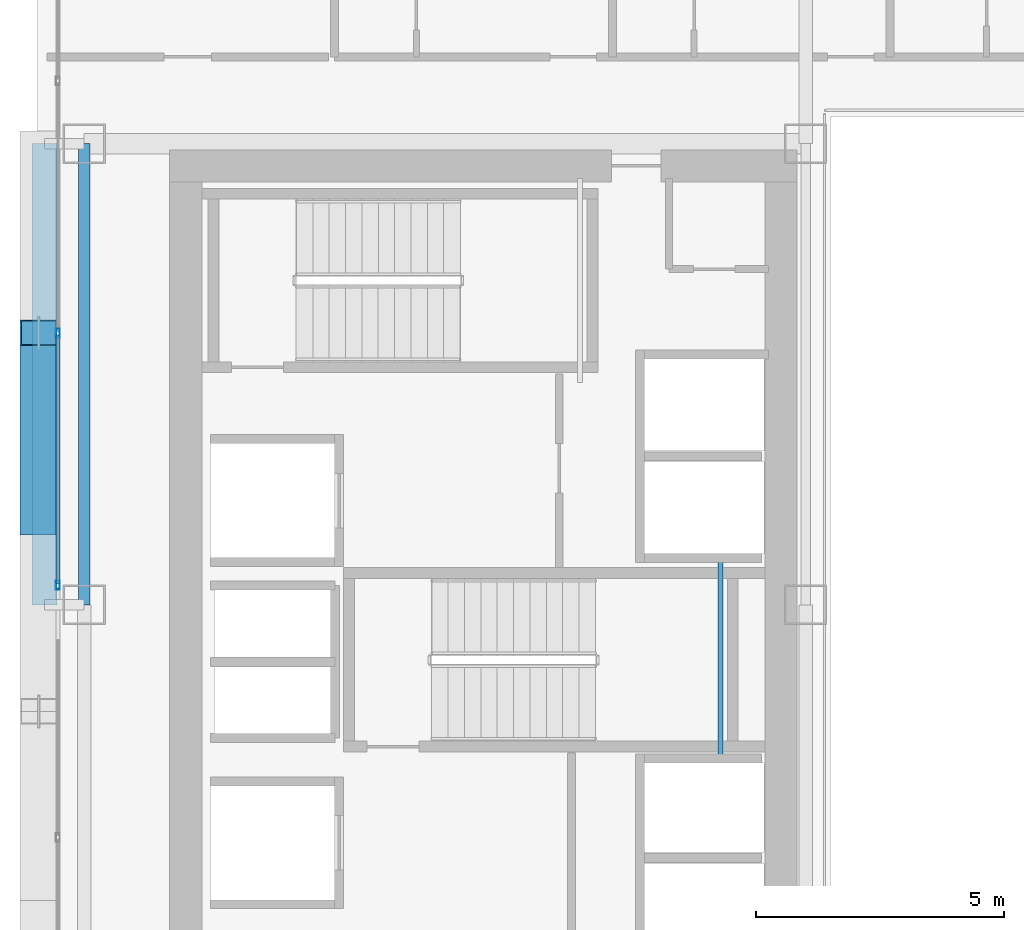
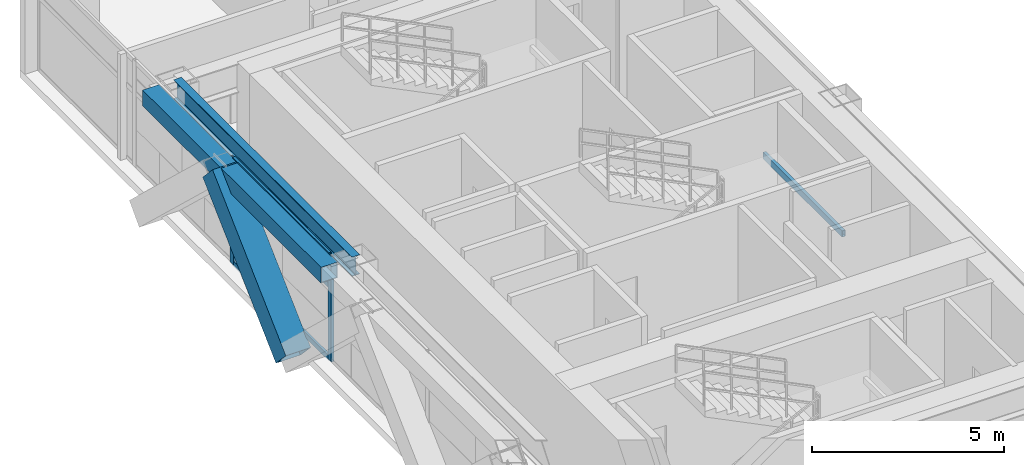
# One storey, part 8 of 35: 6 members, 3 beams, 1 element without a shape of its own.
"""IFC4 building model written with IfcOpenShell, lengths in metres."""

import ifcopenshell
import ifcopenshell.guid

model = None  # the IFC model being written
_history = None  # IfcOwnerHistory: only IFC2X3 demands one
_inside = {}  # id of a spatial element -> (the spatial element, [elements in it])
_under = {}  # id of a project, library or spatial element -> (it, [spatial elements below it])
_declared = {}  # id of a project -> (the project, [libraries it declares])
_typed = {}  # id of a type object -> (the type object, [elements of that type])
_made_of = {}  # id of a material, layer set ... -> (it, [elements and type objects made of it])


def new_model(schema):
    """Start an empty IFC model of exactly this schema.

    Asked for "IFC4X3", IfcOpenShell would pick the latest addendum, in which some entities
    have other attributes; the version numbers below select the first issue.
    IFC2X3 requires an IfcOwnerHistory on every rooted entity: one is made here for all.
    """
    global model, _history
    if schema == "IFC4X3":
        model = ifcopenshell.file(schema_version=(4, 3, 0, 0))
    else:
        model = ifcopenshell.file(schema=schema)
    _inside.clear()
    _under.clear()
    _declared.clear()
    _typed.clear()
    _made_of.clear()
    _history = None
    if model.schema == "IFC2X3":
        org = make("IfcOrganization", Name="unknown")
        user = make(
            "IfcPersonAndOrganization",
            ThePerson=make("IfcPerson", FamilyName="unknown"),
            TheOrganization=org,
        )
        app = make(
            "IfcApplication",
            ApplicationDeveloper=org,
            Version="unknown",
            ApplicationFullName="unknown",
            ApplicationIdentifier="unknown",
        )
        _history = make(
            "IfcOwnerHistory",
            OwningUser=user,
            OwningApplication=app,
            ChangeAction="ADDED",
            CreationDate=0,
        )
    return model


def make(cls, **values):
    """One entity of the class cls with the attributes given. An attribute that is None is left unset."""
    return model.create_entity(
        cls, **{name: value for name, value in values.items() if value is not None}
    )


def rooted(cls, **values):
    """An entity with a GlobalId (a new one), such as an element, a storey or a relation."""
    return make(cls, GlobalId=ifcopenshell.guid.new(), OwnerHistory=_history, **values)


def si_unit(unit_type, name, prefix=None):
    """IfcSIUnit, for example si_unit("LENGTHUNIT", "METRE", prefix="MILLI")."""
    return make("IfcSIUnit", UnitType=unit_type, Prefix=prefix, Name=name)


def assignment(units):
    """IfcUnitAssignment: the units of a project."""
    return None if units is None else make("IfcUnitAssignment", Units=units)


def point(xyz):
    """IfcCartesianPoint."""
    return None if xyz is None else make("IfcCartesianPoint", Coordinates=xyz)


def direction(xyz):
    """IfcDirection."""
    return None if xyz is None else make("IfcDirection", DirectionRatios=xyz)


def frame(location, z_axis=None, x_axis=None):
    """IfcAxis2Placement3D, a coordinate frame: its origin and axes. An axis left out is left unset."""
    return make(
        "IfcAxis2Placement3D",
        Location=point(location),
        Axis=direction(z_axis),
        RefDirection=direction(x_axis),
    )


def frame_2d(location, x_axis=None):
    """IfcAxis2Placement2D, a coordinate frame in the plane: its origin and x axis."""
    return make(
        "IfcAxis2Placement2D", Location=point(location), RefDirection=direction(x_axis)
    )


def origin():
    """The frame at (0, 0, 0) with its axes left unset."""
    return frame((0.0, 0.0, 0.0))


def origin_2d():
    """The frame at (0, 0) in the plane with its x axis left unset."""
    return frame_2d((0.0, 0.0))


def place(relative_to, where):
    """IfcLocalPlacement: puts the frame where relative to a parent placement (None: the world)."""
    return make(
        "IfcLocalPlacement", PlacementRelTo=relative_to, RelativePlacement=where
    )


def context(
    kind, dimensions, precision=None, world=None, true_north=None, identifier=None
):
    """IfcGeometricRepresentationContext, for example the 3D "Model" context."""
    return make(
        "IfcGeometricRepresentationContext",
        ContextIdentifier=identifier,
        ContextType=kind,
        CoordinateSpaceDimension=dimensions,
        Precision=precision,
        WorldCoordinateSystem=world,
        TrueNorth=true_north,
    )


def subcontext(parent, identifier, kind, view, scale=None):
    """IfcGeometricRepresentationSubContext, for example "Body" below "Model"."""
    return make(
        "IfcGeometricRepresentationSubContext",
        ContextIdentifier=identifier,
        ContextType=kind,
        ParentContext=parent,
        TargetScale=scale,
        TargetView=view,
    )


def project(units=None, contexts=None):
    """IfcProject with its units and contexts."""
    return rooted(
        "IfcProject",
        Name="project",
        RepresentationContexts=contexts,
        UnitsInContext=assignment(units),
    )


def spatial(cls, under=None, at=None, **own):
    """A site, building, storey or space (cls), placed at a placement, below another one or the project."""
    s = rooted(cls, ObjectPlacement=at, **own)
    if under is not None:
        _under.setdefault(under.id(), (under, []))[1].append(s)
    return s


def profile(cls, at=None, kind="AREA", **sizes):
    """A parametric profile (cls). Its sizes go by their IFC names, for example OverallWidth=200.0."""
    return make(cls, ProfileType=kind, Position=at, **sizes)


def hollow_rectangle(**sizes):
    """IfcRectangleHollowProfileDef."""
    return profile("IfcRectangleHollowProfileDef", **sizes)


def i_section(**sizes):
    """IfcIShapeProfileDef."""
    return profile("IfcIShapeProfileDef", **sizes)


def extrude(swept, where, along, depth):
    """IfcExtrudedAreaSolid: the profile swept, set in the frame where, extruded along a direction by depth."""
    return make(
        "IfcExtrudedAreaSolid",
        SweptArea=swept,
        Position=where,
        ExtrudedDirection=direction(along),
        Depth=depth,
    )


def shape(context_of_items, identifier, shape_type, items):
    """IfcShapeRepresentation: the items that make up one representation, for example the "Body"."""
    return make(
        "IfcShapeRepresentation",
        ContextOfItems=context_of_items,
        RepresentationIdentifier=identifier,
        RepresentationType=shape_type,
        Items=items,
    )


def source(mapping_origin, context_of_items, identifier, shape_type, items):
    """IfcRepresentationMap: a shape defined once, which mapped items show again and again."""
    return make(
        "IfcRepresentationMap",
        MappingOrigin=mapping_origin,
        MappedRepresentation=shape(context_of_items, identifier, shape_type, items),
    )


def transform(
    local_origin,
    x_axis=None,
    y_axis=None,
    z_axis=None,
    scale=None,
    scale2=None,
    scale3=None,
    uniform=True,
):
    """IfcCartesianTransformationOperator3D, or its non-uniform kind. x_axis, y_axis, z_axis: its Axis1, 2, 3."""
    if uniform:
        return make(
            "IfcCartesianTransformationOperator3D",
            Axis1=direction(x_axis),
            Axis2=direction(y_axis),
            LocalOrigin=point(local_origin),
            Scale=scale,
            Axis3=direction(z_axis),
        )
    return make(
        "IfcCartesianTransformationOperator3DnonUniform",
        Axis1=direction(x_axis),
        Axis2=direction(y_axis),
        LocalOrigin=point(local_origin),
        Scale=scale,
        Axis3=direction(z_axis),
        Scale2=scale2,
        Scale3=scale3,
    )


def mapped(mapping_source, mapping_target):
    """IfcMappedItem: shows the shape of a source again, moved by a transform."""
    return make(
        "IfcMappedItem", MappingSource=mapping_source, MappingTarget=mapping_target
    )


def material(Name=None, Category=None):
    """IfcMaterial."""
    return make("IfcMaterial", Name=Name, Category=Category)


def layer(
    of_material, thickness, ventilated=None, Name=None, Category=None, Priority=None
):
    """IfcMaterialLayer: one layer of a wall or slab, of a material (None: an air gap)."""
    return make(
        "IfcMaterialLayer",
        Material=of_material,
        LayerThickness=thickness,
        IsVentilated=ventilated,
        Name=Name,
        Category=Category,
        Priority=Priority,
    )


def layer_set(layers, Name=None):
    """IfcMaterialLayerSet."""
    return make("IfcMaterialLayerSet", MaterialLayers=layers, LayerSetName=Name)


def material_profile(
    of_material, cross_section, Name=None, Category=None, Priority=None
):
    """IfcMaterialProfile: a cross section and its material."""
    return make(
        "IfcMaterialProfile",
        Name=Name,
        Material=of_material,
        Profile=cross_section,
        Priority=Priority,
        Category=Category,
    )


def profile_set(profiles, Name=None, composite=None):
    """IfcMaterialProfileSet."""
    return make(
        "IfcMaterialProfileSet",
        Name=Name,
        MaterialProfiles=profiles,
        CompositeProfile=composite,
    )


def made_of(thing, what):
    """Note that an element or type object is made of a material, layer set ...; save() writes the relation."""
    if what is not None:
        _made_of.setdefault(what.id(), (what, []))[1].append(thing)
    return thing


def type_object(cls, material=None, **own):
    """A type object (cls), such as IfcWallType, which elements share."""
    return made_of(rooted(cls, **own), material)


def element(
    cls,
    number,
    at=None,
    inside=None,
    cuts=None,
    type_object=None,
    material=None,
    context=None,
    identifier="Body",
    shape_type=None,
    held_by="IfcProductDefinitionShape",
    body=None,
    shapes=None,
    **own,
):
    """One element of the class cls, such as IfcWall. Its Tag is "e" and its number.

    at: its placement. inside: the storey or other place that contains it. cuts: it is an
    opening in that element (IfcRelVoidsElement). A single representation is given by context,
    identifier, shape_type and body (its items); several are given by shapes. held_by: the class
    of the entity that holds the representations. save() writes the other relations.
    """
    e = rooted(cls, Tag="e%d" % number, ObjectPlacement=at, **own)
    if body is not None:
        shapes = [shape(context, identifier, shape_type, body)]
    if shapes is not None:
        e.Representation = make(held_by, Representations=shapes)
    if inside is not None:
        _inside.setdefault(inside.id(), (inside, []))[1].append(e)
    if cuts is not None:
        rooted(
            "IfcRelVoidsElement", RelatingBuildingElement=cuts, RelatedOpeningElement=e
        )
    if type_object is not None:
        _typed.setdefault(type_object.id(), (type_object, []))[1].append(e)
    return made_of(e, material)


def aggregate(whole, parts):
    """IfcRelAggregates: a whole, such as a stair, and the parts it consists of."""
    return rooted("IfcRelAggregates", RelatingObject=whole, RelatedObjects=parts)


def save(model, path):
    """Write the relations noted so far, then the file.

    IfcRelAggregates (storeys below a building ...), IfcRelContainedInSpatialStructure (elements
    in a storey), IfcRelDefinesByType, IfcRelAssociatesMaterial and IfcRelDeclares: one each for
    every whole, place, type object, material and project.
    """
    for whole, parts in _under.values():
        aggregate(whole, parts)
    for where, things in _inside.values():
        rooted(
            "IfcRelContainedInSpatialStructure",
            RelatedElements=things,
            RelatingStructure=where,
        )
    for kind, things in _typed.values():
        rooted("IfcRelDefinesByType", RelatedObjects=things, RelatingType=kind)
    for what, things in _made_of.values():
        rooted("IfcRelAssociatesMaterial", RelatedObjects=things, RelatingMaterial=what)
    for by, libraries in _declared.values():
        rooted("IfcRelDeclares", RelatingContext=by, RelatedDefinitions=libraries)
    model.write(path)


model = new_model("IFC4")

# Units and contexts
model_context = context("Model", 3, precision=1e-05, world=origin(), true_north=direction((0.0, 1.0)))
body_context = subcontext(model_context, "Body", "Model", "MODEL_VIEW")
ifc_project = project(units=[si_unit("LENGTHUNIT", "METRE"), si_unit("AREAUNIT", "SQUARE_METRE"), si_unit("VOLUMEUNIT", "CUBIC_METRE"), si_unit("PLANEANGLEUNIT", "RADIAN"), si_unit("MASSUNIT", "GRAM", prefix="KILO")], contexts=[model_context])

# Site, building, storey
site_placement = place(None, origin())
site = spatial("IfcSite", under=ifc_project, at=site_placement, CompositionType="ELEMENT")
building_placement = place(site_placement, origin())
building = spatial("IfcBuilding", under=site, at=building_placement, Name="Ocotamira Hotel", CompositionType="ELEMENT")
storey_placement = place(building_placement, frame((0.0, 0.0, 140.39990234375)))
storey = spatial("IfcBuildingStorey", under=building, at=storey_placement, Name="L35", CompositionType="ELEMENT", Elevation=140.39990234375)

# Beams
ifc_material_1 = material(Name="Steel ASTM A500 Grade C", Category="steel")
ifc_material_profile_1 = material_profile(ifc_material_1, hollow_rectangle(XDim=0.10009765625, YDim=0.199951171875, WallThickness=0.008056640625, at=origin_2d()), Name="HSS200X100X8")
ifc_profile_set_1 = profile_set([ifc_material_profile_1], Name="Steel ASTM A500 Grade C")
beam_type_1 = type_object("IfcBeamType", Name="BM-STLDG-HSS200", PredefinedType="BEAM", material=ifc_profile_set_1)
shared_shape_1 = source(origin(), body_context, "Body", "SweptSolid", [
    extrude(hollow_rectangle(XDim=0.10009765625, YDim=0.199951171875, WallThickness=0.008056640625, at=origin_2d()), origin(), (0.0, 0.0, 1.0), 4.1201171875),
])
beam_1_placement = place(storey_placement, frame((21.780029296875, 24.97998046875, 1.5), z_axis=(0.0, 1.0, 0.0), x_axis=(-1.0, 0.0, 0.0)))
element("IfcBeam", 1, at=beam_1_placement, inside=storey, type_object=beam_type_1, Name="L35 Stair ST-3 Landing Bearer 1", PredefinedType="BEAM", context=body_context, shape_type="MappedRepresentation", body=[
    mapped(shared_shape_1, transform((0.0, 0.0, 0.0), scale=1.0)),
])
ifc_material_2 = material(Name="Steel ASTM A992 Grade 50", Category="steel")
ifc_material_profile_2 = material_profile(ifc_material_2, i_section(OverallWidth=0.22998046875, OverallDepth=0.616943359375, WebThickness=0.01318359375, FlangeThickness=0.022216796875, FilletRadius=0.012939453125, at=origin_2d()), Name="W24X94")
ifc_profile_set_2 = profile_set([ifc_material_profile_2], Name="Steel ASTM A992 Grade 50")
beam_type_2 = type_object("IfcBeamType", Name="BM-PRIM-W24X94", PredefinedType="BEAM", material=ifc_profile_set_2)
shared_shape_2 = source(origin(), body_context, "Body", "SweptSolid", [
    extrude(i_section(OverallWidth=0.22998046875, OverallDepth=0.616943359375, WebThickness=0.01318359375, FlangeThickness=0.022216796875, FilletRadius=0.012939453125, at=origin_2d()), origin(), (0.0, 0.0, 1.0), 9.300048828125),
])
beam_2_placement = place(storey_placement, frame((8.949951171875, 28.14990234375, 3.051513671875), z_axis=(0.0, 1.0, 0.0), x_axis=(-1.0, 0.0, 0.0)))
element("IfcBeam", 2, at=beam_2_placement, inside=storey, type_object=beam_type_2, Name="L35 Beam X8.95 Y28.15-37.45", PredefinedType="BEAM", context=body_context, shape_type="MappedRepresentation", body=[
    mapped(shared_shape_2, transform((0.0, 0.0, 0.0), scale=1.0)),
])
ifc_material_profile_3 = material_profile(ifc_material_1, hollow_rectangle(XDim=0.5, YDim=0.5, WallThickness=0.02001953125, at=origin_2d()), Name="HSS500X500X20")
ifc_profile_set_3 = profile_set([ifc_material_profile_3], Name="Steel ASTM A500 Grade C")
beam_type_3 = type_object("IfcBeamType", Name="BM-SPAN-HSS500", PredefinedType="USERDEFINED", material=ifc_profile_set_3)
shared_shape_3 = source(origin(), body_context, "Body", "SweptSolid", [
    extrude(hollow_rectangle(XDim=0.5, YDim=0.5, WallThickness=0.02001953125, at=origin_2d()), origin(), (0.0, 0.0, 1.0), 9.300048828125),
])
beam_3_placement = place(storey_placement, frame((8.14990234375, 28.14990234375, 3.110107421875), z_axis=(0.0, 1.0, 0.0), x_axis=(-1.0, 0.0, 0.0)))
element("IfcBeam", 3, at=beam_3_placement, inside=storey, type_object=beam_type_3, Name="L35 Edge Spandrel W Y28.15-37.45", ObjectType="SPANDREL", PredefinedType="USERDEFINED", context=body_context, shape_type="MappedRepresentation", body=[
    mapped(shared_shape_3, transform((0.0, 0.0, 0.0), scale=1.0)),
])

# Member
ifc_material_3 = material(Name="Pale-metal coated steel ASTM A913 Grade 65", Category="steel")
ifc_material_profile_4 = material_profile(ifc_material_3, hollow_rectangle(XDim=0.75, YDim=0.75, WallThickness=0.028076171875, at=origin_2d()), Name="BOX750X750X28")
ifc_profile_set_4 = profile_set([ifc_material_profile_4], Name="Pale-metal coated steel ASTM A913 Grade 65")
member_type_1 = type_object("IfcMemberType", Name="MEM-EXO-BOX750", PredefinedType="BRACE", material=ifc_profile_set_4)
shared_shape_4 = source(origin(), body_context, "Body", "SweptSolid", [
    extrude(hollow_rectangle(XDim=0.75, YDim=0.75, WallThickness=0.028076171875, at=origin_2d()), origin(), (0.0, 0.0, 1.0), 5.24658203125),
])
member_1_placement = place(storey_placement, frame((8.030029296875, 29.816650390625, -0.489990234375), z_axis=(0.0, 0.727442733726, 0.686168397078), x_axis=(-1.0, 0.0, 0.0)))
element("IfcMember", 4, at=member_1_placement, inside=storey, type_object=member_type_1, Name="L35 Exoskeleton Diagrid W2.1", PredefinedType="BRACE", context=body_context, shape_type="MappedRepresentation", body=[
    mapped(shared_shape_4, transform((0.0, 0.0, 0.0), scale=1.0)),
])

# Curtain wall, members
ifc_material_4 = material(Name="Anodised pale-metal aluminium and solar glass", Category="aluminium")
ifc_layer = layer(ifc_material_4, 0.179931640625)
ifc_layer_set = layer_set([ifc_layer], Name="Anodised pale-metal aluminium and solar glass")
curtain_wall_type = type_object("IfcCurtainWallType", Name="CW-SYS3-Z2", PredefinedType="NOTDEFINED", material=ifc_layer_set)
curtain_wall_placement = place(storey_placement, origin())
curtain_wall = element("IfcCurtainWall", 5, at=curtain_wall_placement, inside=storey, type_object=curtain_wall_type, Name="L35 Curtain Wall CW-3 CW-L35-W", PredefinedType="NOTDEFINED")
ifc_material_5 = material(Name="Anodised pale-metal aluminium 6063-T6", Category="aluminium")
ifc_material_profile_5 = material_profile(ifc_material_5, hollow_rectangle(XDim=0.074951171875, YDim=0.14990234375, WallThickness=0.006103515625, at=origin_2d()), Name="HSS150X75X6")
ifc_profile_set_5 = profile_set([ifc_material_profile_5], Name="Anodised pale-metal aluminium 6063-T6")
member_type_2 = type_object("IfcMemberType", Name="CWT-150X75", PredefinedType="USERDEFINED", material=ifc_profile_set_5)
shared_shape_5 = source(origin(), body_context, "Body", "SweptSolid", [
    extrude(hollow_rectangle(XDim=0.074951171875, YDim=0.14990234375, WallThickness=0.006103515625, at=origin_2d()), origin(), (0.0, 0.0, 1.0), 5.005859375),
])
member_2_placement = place(storey_placement, frame((8.419921875, 28.582763671875, 0.03759765625), z_axis=(0.0, 1.0, 0.0), x_axis=(-1.0, 0.0, 0.0)))
member_2 = element("IfcMember", 6, at=member_2_placement, type_object=member_type_2, Name="CW-3 transom 5.1", ObjectType="TRANSOM", PredefinedType="USERDEFINED", context=body_context, shape_type="MappedRepresentation", body=[
    mapped(shared_shape_5, transform((0.0, 0.0, 0.0), scale=1.0)),
])
member_3_placement = place(storey_placement, frame((8.419921875, 28.582763671875, 2.35009765625), z_axis=(0.0, 1.0, 0.0), x_axis=(-1.0, 0.0, 0.0)))
member_3 = element("IfcMember", 7, at=member_3_placement, type_object=member_type_2, Name="CW-3 transom 5.2", ObjectType="TRANSOM", PredefinedType="USERDEFINED", context=body_context, shape_type="MappedRepresentation", body=[
    mapped(shared_shape_5, transform((0.0, 0.0, 0.0), scale=1.0)),
])
member_4_placement = place(storey_placement, frame((8.419921875, 28.582763671875, 3.322509765625), z_axis=(0.0, 1.0, 0.0), x_axis=(-1.0, 0.0, 0.0)))
member_4 = element("IfcMember", 8, at=member_4_placement, type_object=member_type_2, Name="CW-3 transom 5.3", ObjectType="TRANSOM", PredefinedType="USERDEFINED", context=body_context, shape_type="MappedRepresentation", body=[
    mapped(shared_shape_5, transform((0.0, 0.0, 0.0), scale=1.0)),
])
ifc_material_profile_6 = material_profile(ifc_material_5, hollow_rectangle(XDim=0.080078125, YDim=0.179931640625, WallThickness=0.006103515625, at=origin_2d()), Name="HSS180X80X6")
ifc_profile_set_6 = profile_set([ifc_material_profile_6], Name="Anodised pale-metal aluminium 6063-T6")
member_type_3 = type_object("IfcMemberType", Name="CWM-180X75", PredefinedType="MULLION", material=ifc_profile_set_6)
shared_shape_6 = source(origin(), body_context, "Body", "SweptSolid", [
    extrude(hollow_rectangle(XDim=0.080078125, YDim=0.179931640625, WallThickness=0.006103515625, at=origin_2d()), origin(), (0.0, 0.0, 1.0), 3.360107421875),
])
member_5_placement = place(storey_placement, frame((8.419921875, 28.54296875, 0.0), z_axis=(0.0, 0.0, 1.0), x_axis=(-1.0, 0.0, 0.0)))
member_5 = element("IfcMember", 9, at=member_5_placement, type_object=member_type_3, Name="CW-3 mullion 5", PredefinedType="MULLION", context=body_context, shape_type="MappedRepresentation", body=[
    mapped(shared_shape_6, transform((0.0, 0.0, 0.0), scale=1.0)),
])
member_6_placement = place(storey_placement, frame((8.419921875, 33.628662109375, 0.0), z_axis=(0.0, 0.0, 1.0), x_axis=(-1.0, 0.0, 0.0)))
member_6 = element("IfcMember", 10, at=member_6_placement, type_object=member_type_3, Name="CW-3 mullion 6", PredefinedType="MULLION", context=body_context, shape_type="MappedRepresentation", body=[
    mapped(shared_shape_6, transform((0.0, 0.0, 0.0), scale=1.0)),
])
aggregate(curtain_wall, [member_5, member_6, member_2, member_3, member_4])

save(model, "model.ifc")
